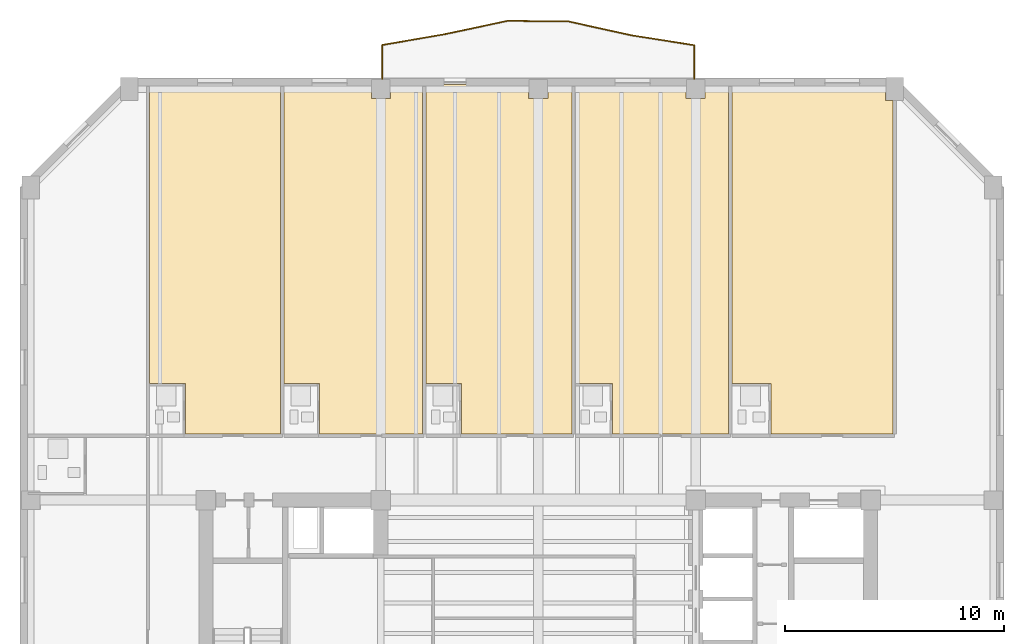
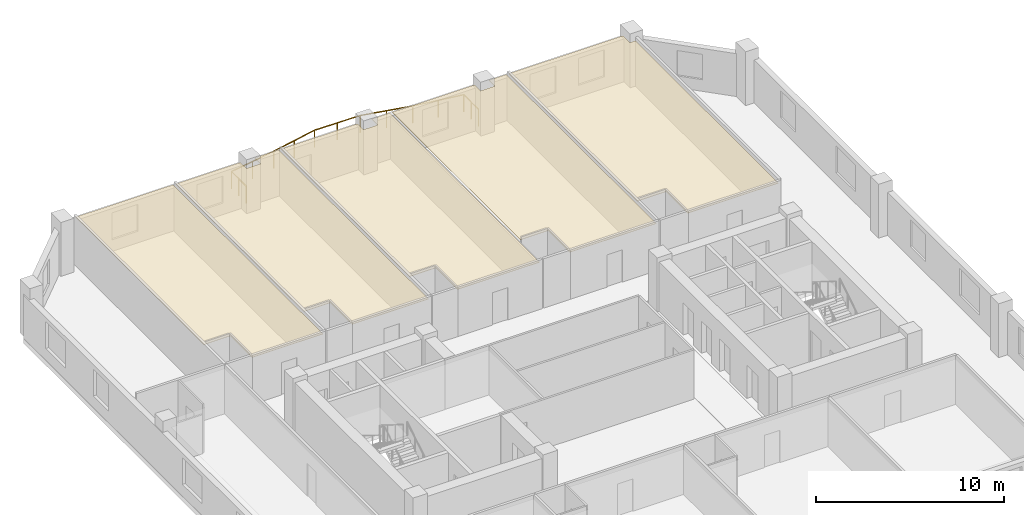
# One storey, part 9 of 10: 5 coverings, 1 railing.
"""IFC4 building model written with IfcOpenShell, lengths in metres."""

from ifc_helpers import new_model, si_unit, direction, frame, origin, origin_2d, place, context, subcontext, project, spatial, polyline, circle, outline, extrude, material, layer, layer_set, type_object, element, save


model = new_model("IFC4")

# Units and contexts
model_context = context("Model", 3, precision=1e-05, world=origin(), true_north=direction((0.0, 1.0)))
body_context = subcontext(model_context, "Body", "Model", "MODEL_VIEW")
ifc_project = project(units=[si_unit("LENGTHUNIT", "METRE"), si_unit("AREAUNIT", "SQUARE_METRE"), si_unit("VOLUMEUNIT", "CUBIC_METRE"), si_unit("PLANEANGLEUNIT", "RADIAN"), si_unit("MASSUNIT", "GRAM", prefix="KILO")], contexts=[model_context])

# Site, building, storey
site_placement = place(None, origin())
site = spatial("IfcSite", under=ifc_project, at=site_placement, CompositionType="ELEMENT")
building_placement = place(site_placement, origin())
building = spatial("IfcBuilding", under=site, at=building_placement, Name="Kranthara Brick Stack", CompositionType="ELEMENT")
storey_placement = place(building_placement, frame((0.0, 0.0, 186.800048828125)))
storey = spatial("IfcBuildingStorey", under=building, at=storey_placement, Name="L48", CompositionType="ELEMENT", Elevation=186.800048828125)

# Coverings
ifc_material_1 = material(Name="Perforated mineral-fibre acoustic ceiling tile", Category="other")
ifc_layer = layer(ifc_material_1, 0.02490234375)
ifc_layer_set = layer_set([ifc_layer], Name="Perforated mineral-fibre acoustic ceiling tile")
covering_type = type_object("IfcCoveringType", Name="COV-CEIL-ACOUSTIC", PredefinedType="CEILING", material=ifc_layer_set)
covering_1_placement = place(storey_placement, frame((0.0, 0.0, 2.929931640625)))
element("IfcCovering", 1, at=covering_1_placement, inside=storey, type_object=covering_type, Name="L48 Room L48-05 Corner Junior Suite Acoustic Ceiling", PredefinedType="CEILING", context=body_context, shape_type="SweptSolid", body=[
    extrude(outline(polyline([(11.860107421875, 36.6298828125), (16.217041015625, 36.6298828125), (16.217041015625, 52.60009765625), (10.22998046875, 52.60009765625), (10.22998046875, 38.93994140625), (11.860107421875, 38.93994140625), (11.860107421875, 36.6298828125)])), origin(), (0.0, 0.0, 1.0), 0.02490234375),
])
covering_2_placement = place(storey_placement, frame((0.0, 0.0, 2.929931640625)))
element("IfcCovering", 2, at=covering_2_placement, inside=storey, type_object=covering_type, Name="L48 Room L48-06 Corner Junior Suite Acoustic Ceiling", PredefinedType="CEILING", context=body_context, shape_type="SweptSolid", body=[
    extrude(outline(polyline([(22.705078125, 52.60009765625), (22.705078125, 36.6298828125), (18.007080078125, 36.6298828125), (18.007080078125, 38.93994140625), (16.376953125, 38.93994140625), (16.376953125, 52.60009765625), (20.364990234375, 52.60009765625), (20.364990234375, 51.965087890625), (21.235107421875, 51.965087890625), (21.235107421875, 52.60009765625), (22.705078125, 52.60009765625)])), origin(), (0.0, 0.0, 1.0), 0.02490234375),
])
covering_3_placement = place(storey_placement, frame((0.0, 0.0, 2.929931640625)))
element("IfcCovering", 3, at=covering_3_placement, inside=storey, type_object=covering_type, Name="L48 Room L48-07 Corner Junior Suite Acoustic Ceiling", PredefinedType="CEILING", context=body_context, shape_type="SweptSolid", body=[
    extrude(outline(polyline([(29.534912109375, 52.60009765625), (29.534912109375, 36.6298828125), (24.4951171875, 36.6298828125), (24.4951171875, 38.93994140625), (22.864990234375, 38.93994140625), (22.864990234375, 52.60009765625), (27.56494140625, 52.60009765625), (27.56494140625, 51.965087890625), (28.43505859375, 51.965087890625), (28.43505859375, 52.60009765625), (29.534912109375, 52.60009765625)])), origin(), (0.0, 0.0, 1.0), 0.02490234375),
])
covering_4_placement = place(storey_placement, frame((0.0, 0.0, 2.929931640625)))
element("IfcCovering", 4, at=covering_4_placement, inside=storey, type_object=covering_type, Name="L48 Room L48-08 Corner Junior Suite Acoustic Ceiling", PredefinedType="CEILING", context=body_context, shape_type="SweptSolid", body=[
    extrude(outline(polyline([(36.70703125, 52.60009765625), (36.70703125, 36.6298828125), (31.396240234375, 36.6298828125), (31.396240234375, 38.93994140625), (29.695068359375, 38.93994140625), (29.695068359375, 52.60009765625), (34.764892578125, 52.60009765625), (34.764892578125, 51.965087890625), (35.635009765625, 51.965087890625), (35.635009765625, 52.60009765625), (36.70703125, 52.60009765625)])), origin(), (0.0, 0.0, 1.0), 0.02490234375),
])
covering_5_placement = place(storey_placement, frame((0.0, 0.0, 2.929931640625)))
element("IfcCovering", 5, at=covering_5_placement, inside=storey, type_object=covering_type, Name="L48 Room L48-09 Corner Junior Suite Acoustic Ceiling", PredefinedType="CEILING", context=body_context, shape_type="SweptSolid", body=[
    extrude(outline(polyline([(44.219970703125, 36.6298828125), (38.650146484375, 36.6298828125), (38.650146484375, 38.93994140625), (36.866943359375, 38.93994140625), (36.866943359375, 52.60009765625), (43.889892578125, 52.60009765625), (43.889892578125, 51.864990234375), (44.219970703125, 51.864990234375), (44.219970703125, 36.6298828125)])), origin(), (0.0, 0.0, 1.0), 0.02490234375),
])

# Railing
ifc_material_2 = material(Name="Bronze anodised aluminium and laminated glass balustrade", Category="aluminium")
railing_type = type_object("IfcRailingType", Name="RL-BALC-1120", PredefinedType="BALUSTRADE", material=ifc_material_2)
railing_placement = place(storey_placement, frame((20.860107421875, 52.840087890625, 0.0)))
element("IfcRailing", 6, at=railing_placement, inside=storey, type_object=railing_type, Name="L48 North Rippling Balcony Balustrade", PredefinedType="BALUSTRADE", context=body_context, shape_type="SweptSolid", body=[
    extrude(circle(Radius=0.02392578125, at=origin_2d()), frame((0.0, 0.0, 1.09619140625), z_axis=(0.0, 1.0, 0.0), x_axis=(-1.0, 0.0, 0.0)), (0.0, 0.0, 1.0), 1.57373046875),
    extrude(circle(Radius=0.02392578125, at=origin_2d()), frame((0.0, 1.57373046875, 1.09619140625), z_axis=(0.985354285481, 0.170519594427, 0.0), x_axis=(-0.170519594427, 0.985354285481, 0.0)), (0.0, 0.0, 1.0), 2.922119140625),
    extrude(circle(Radius=0.02392578125, at=origin_2d()), frame((2.87939453125, 2.072021484375, 1.09619140625), z_axis=(0.978230539305, 0.207521112109, 0.0), x_axis=(-0.207521112109, 0.978230539305, 0.0)), (0.0, 0.0, 1.0), 2.931640625),
    extrude(circle(Radius=0.02392578125, at=origin_2d()), frame((5.747314453125, 2.680419921875, 1.09619140625), z_axis=(0.999940910795, -0.010870828769, 0.0), x_axis=(0.010870828769, 0.999940910795, 0.0)), (0.0, 0.0, 1.0), 2.784912109375),
    extrude(circle(Radius=0.02392578125, at=origin_2d()), frame((8.531982421875, 2.650146484375, 1.09619140625), z_axis=(0.976619340036, -0.214975963001, 0.0), x_axis=(0.214975963001, 0.976619340036, 0.0)), (0.0, 0.0, 1.0), 2.936767578125),
    extrude(circle(Radius=0.02392578125, at=origin_2d()), frame((11.400146484375, 2.018798828125, 1.09619140625), z_axis=(0.987793502636, -0.15576904747, 0.0), x_axis=(0.15576904747, 0.987793502636, 0.0)), (0.0, 0.0, 1.0), 2.915283203125),
    extrude(circle(Radius=0.02392578125, at=origin_2d()), frame((14.27978515625, 1.564697265625, 1.09619140625), z_axis=(0.0, -1.0, 0.0), x_axis=(1.0, 0.0, 0.0)), (0.0, 0.0, 1.0), 1.564697265625),
    extrude(circle(Radius=0.02099609375, at=origin_2d()), origin(), (0.0, 0.0, 1.0), 1.072021484375),
    extrude(circle(Radius=0.02099609375, at=origin_2d()), frame((0.0, 0.786865234375, 0.0)), (0.0, 0.0, 1.0), 1.072021484375),
    extrude(circle(Radius=0.02099609375, at=origin_2d()), frame((0.0, 1.57373046875, 0.0)), (0.0, 0.0, 1.0), 1.072021484375),
    extrude(circle(Radius=0.02099609375, at=origin_2d()), frame((1.439697265625, 1.82275390625, 0.0)), (0.0, 0.0, 1.0), 1.072021484375),
    extrude(circle(Radius=0.02099609375, at=origin_2d()), frame((2.87939453125, 2.072021484375, 0.0)), (0.0, 0.0, 1.0), 1.072021484375),
    extrude(circle(Radius=0.02099609375, at=origin_2d()), frame((4.3134765625, 2.376220703125, 0.0)), (0.0, 0.0, 1.0), 1.072021484375),
    extrude(circle(Radius=0.02099609375, at=origin_2d()), frame((5.747314453125, 2.680419921875, 0.0)), (0.0, 0.0, 1.0), 1.072021484375),
    extrude(circle(Radius=0.02099609375, at=origin_2d()), frame((7.1396484375, 2.665283203125, 0.0)), (0.0, 0.0, 1.0), 1.072021484375),
    extrude(circle(Radius=0.02099609375, at=origin_2d()), frame((8.531982421875, 2.650146484375, 0.0)), (0.0, 0.0, 1.0), 1.072021484375),
    extrude(circle(Radius=0.02099609375, at=origin_2d()), frame((9.966064453125, 2.33447265625, 0.0)), (0.0, 0.0, 1.0), 1.072021484375),
    extrude(circle(Radius=0.02099609375, at=origin_2d()), frame((11.400146484375, 2.018798828125, 0.0)), (0.0, 0.0, 1.0), 1.072021484375),
    extrude(circle(Radius=0.02099609375, at=origin_2d()), frame((12.83984375, 1.791748046875, 0.0)), (0.0, 0.0, 1.0), 1.072021484375),
    extrude(circle(Radius=0.02099609375, at=origin_2d()), frame((14.27978515625, 1.564697265625, 0.0)), (0.0, 0.0, 1.0), 1.072021484375),
    extrude(circle(Radius=0.02099609375, at=origin_2d()), frame((14.27978515625, 0.7822265625, 0.0)), (0.0, 0.0, 1.0), 1.072021484375),
    extrude(circle(Radius=0.02099609375, at=origin_2d()), frame((14.27978515625, 0.0, 0.0)), (0.0, 0.0, 1.0), 1.072021484375),
])

save(model, "model.ifc")
